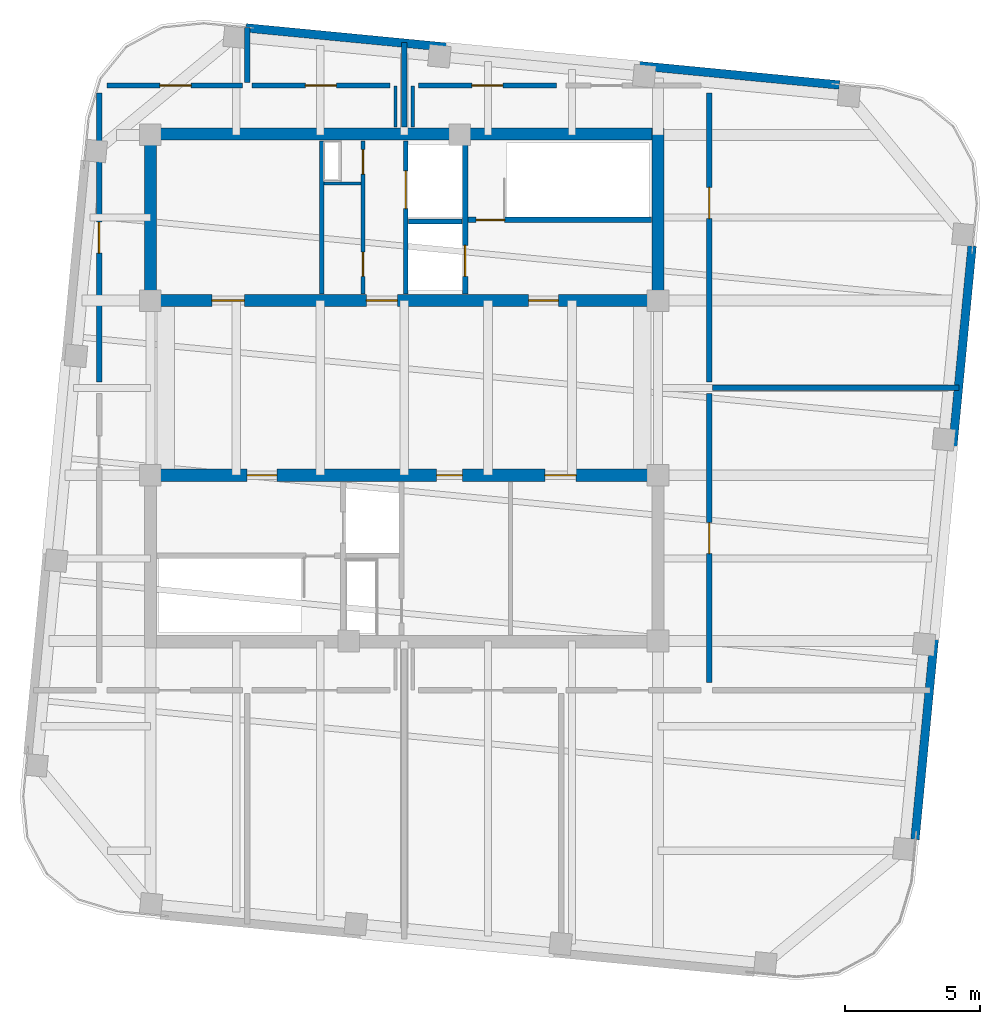
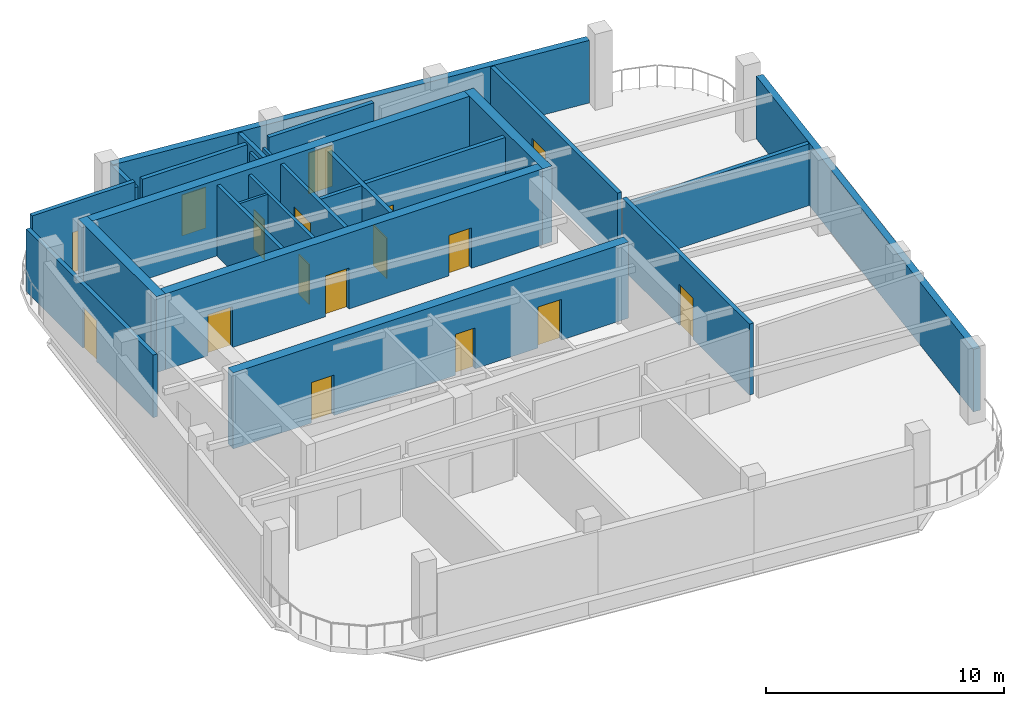
# One storey, part 3 of 5: 25 walls, 17 doors, 17 openings.
"""IFC4 building model written with IfcOpenShell, lengths in metres."""

import ifcopenshell
import ifcopenshell.guid

model = None  # the IFC model being written
_history = None  # IfcOwnerHistory: only IFC2X3 demands one
_inside = {}  # id of a spatial element -> (the spatial element, [elements in it])
_under = {}  # id of a project, library or spatial element -> (it, [spatial elements below it])
_declared = {}  # id of a project -> (the project, [libraries it declares])
_typed = {}  # id of a type object -> (the type object, [elements of that type])
_made_of = {}  # id of a material, layer set ... -> (it, [elements and type objects made of it])


def new_model(schema):
    """Start an empty IFC model of exactly this schema.

    Asked for "IFC4X3", IfcOpenShell would pick the latest addendum, in which some entities
    have other attributes; the version numbers below select the first issue.
    IFC2X3 requires an IfcOwnerHistory on every rooted entity: one is made here for all.
    """
    global model, _history
    if schema == "IFC4X3":
        model = ifcopenshell.file(schema_version=(4, 3, 0, 0))
    else:
        model = ifcopenshell.file(schema=schema)
    _inside.clear()
    _under.clear()
    _declared.clear()
    _typed.clear()
    _made_of.clear()
    _history = None
    if model.schema == "IFC2X3":
        org = make("IfcOrganization", Name="unknown")
        user = make(
            "IfcPersonAndOrganization",
            ThePerson=make("IfcPerson", FamilyName="unknown"),
            TheOrganization=org,
        )
        app = make(
            "IfcApplication",
            ApplicationDeveloper=org,
            Version="unknown",
            ApplicationFullName="unknown",
            ApplicationIdentifier="unknown",
        )
        _history = make(
            "IfcOwnerHistory",
            OwningUser=user,
            OwningApplication=app,
            ChangeAction="ADDED",
            CreationDate=0,
        )
    return model


def make(cls, **values):
    """One entity of the class cls with the attributes given. An attribute that is None is left unset."""
    return model.create_entity(
        cls, **{name: value for name, value in values.items() if value is not None}
    )


def rooted(cls, **values):
    """An entity with a GlobalId (a new one), such as an element, a storey or a relation."""
    return make(cls, GlobalId=ifcopenshell.guid.new(), OwnerHistory=_history, **values)


def si_unit(unit_type, name, prefix=None):
    """IfcSIUnit, for example si_unit("LENGTHUNIT", "METRE", prefix="MILLI")."""
    return make("IfcSIUnit", UnitType=unit_type, Prefix=prefix, Name=name)


def assignment(units):
    """IfcUnitAssignment: the units of a project."""
    return None if units is None else make("IfcUnitAssignment", Units=units)


def point(xyz):
    """IfcCartesianPoint."""
    return None if xyz is None else make("IfcCartesianPoint", Coordinates=xyz)


def direction(xyz):
    """IfcDirection."""
    return None if xyz is None else make("IfcDirection", DirectionRatios=xyz)


def frame(location, z_axis=None, x_axis=None):
    """IfcAxis2Placement3D, a coordinate frame: its origin and axes. An axis left out is left unset."""
    return make(
        "IfcAxis2Placement3D",
        Location=point(location),
        Axis=direction(z_axis),
        RefDirection=direction(x_axis),
    )


def frame_2d(location, x_axis=None):
    """IfcAxis2Placement2D, a coordinate frame in the plane: its origin and x axis."""
    return make(
        "IfcAxis2Placement2D", Location=point(location), RefDirection=direction(x_axis)
    )


def origin():
    """The frame at (0, 0, 0) with its axes left unset."""
    return frame((0.0, 0.0, 0.0))


def place(relative_to, where):
    """IfcLocalPlacement: puts the frame where relative to a parent placement (None: the world)."""
    return make(
        "IfcLocalPlacement", PlacementRelTo=relative_to, RelativePlacement=where
    )


def context(
    kind, dimensions, precision=None, world=None, true_north=None, identifier=None
):
    """IfcGeometricRepresentationContext, for example the 3D "Model" context."""
    return make(
        "IfcGeometricRepresentationContext",
        ContextIdentifier=identifier,
        ContextType=kind,
        CoordinateSpaceDimension=dimensions,
        Precision=precision,
        WorldCoordinateSystem=world,
        TrueNorth=true_north,
    )


def subcontext(parent, identifier, kind, view, scale=None):
    """IfcGeometricRepresentationSubContext, for example "Body" below "Model"."""
    return make(
        "IfcGeometricRepresentationSubContext",
        ContextIdentifier=identifier,
        ContextType=kind,
        ParentContext=parent,
        TargetScale=scale,
        TargetView=view,
    )


def project(units=None, contexts=None):
    """IfcProject with its units and contexts."""
    return rooted(
        "IfcProject",
        Name="project",
        RepresentationContexts=contexts,
        UnitsInContext=assignment(units),
    )


def spatial(cls, under=None, at=None, **own):
    """A site, building, storey or space (cls), placed at a placement, below another one or the project."""
    s = rooted(cls, ObjectPlacement=at, **own)
    if under is not None:
        _under.setdefault(under.id(), (under, []))[1].append(s)
    return s


def profile(cls, at=None, kind="AREA", **sizes):
    """A parametric profile (cls). Its sizes go by their IFC names, for example OverallWidth=200.0."""
    return make(cls, ProfileType=kind, Position=at, **sizes)


def rectangle(**sizes):
    """IfcRectangleProfileDef."""
    return profile("IfcRectangleProfileDef", **sizes)


def extrude(swept, where, along, depth):
    """IfcExtrudedAreaSolid: the profile swept, set in the frame where, extruded along a direction by depth."""
    return make(
        "IfcExtrudedAreaSolid",
        SweptArea=swept,
        Position=where,
        ExtrudedDirection=direction(along),
        Depth=depth,
    )


def shape(context_of_items, identifier, shape_type, items):
    """IfcShapeRepresentation: the items that make up one representation, for example the "Body"."""
    return make(
        "IfcShapeRepresentation",
        ContextOfItems=context_of_items,
        RepresentationIdentifier=identifier,
        RepresentationType=shape_type,
        Items=items,
    )


def material(Name=None, Category=None):
    """IfcMaterial."""
    return make("IfcMaterial", Name=Name, Category=Category)


def layer(
    of_material, thickness, ventilated=None, Name=None, Category=None, Priority=None
):
    """IfcMaterialLayer: one layer of a wall or slab, of a material (None: an air gap)."""
    return make(
        "IfcMaterialLayer",
        Material=of_material,
        LayerThickness=thickness,
        IsVentilated=ventilated,
        Name=Name,
        Category=Category,
        Priority=Priority,
    )


def layer_set(layers, Name=None):
    """IfcMaterialLayerSet."""
    return make("IfcMaterialLayerSet", MaterialLayers=layers, LayerSetName=Name)


def made_of(thing, what):
    """Note that an element or type object is made of a material, layer set ...; save() writes the relation."""
    if what is not None:
        _made_of.setdefault(what.id(), (what, []))[1].append(thing)
    return thing


def type_object(cls, material=None, **own):
    """A type object (cls), such as IfcWallType, which elements share."""
    return made_of(rooted(cls, **own), material)


def element(
    cls,
    number,
    at=None,
    inside=None,
    cuts=None,
    type_object=None,
    material=None,
    context=None,
    identifier="Body",
    shape_type=None,
    held_by="IfcProductDefinitionShape",
    body=None,
    shapes=None,
    **own,
):
    """One element of the class cls, such as IfcWall. Its Tag is "e" and its number.

    at: its placement. inside: the storey or other place that contains it. cuts: it is an
    opening in that element (IfcRelVoidsElement). A single representation is given by context,
    identifier, shape_type and body (its items); several are given by shapes. held_by: the class
    of the entity that holds the representations. save() writes the other relations.
    """
    e = rooted(cls, Tag="e%d" % number, ObjectPlacement=at, **own)
    if body is not None:
        shapes = [shape(context, identifier, shape_type, body)]
    if shapes is not None:
        e.Representation = make(held_by, Representations=shapes)
    if inside is not None:
        _inside.setdefault(inside.id(), (inside, []))[1].append(e)
    if cuts is not None:
        rooted(
            "IfcRelVoidsElement", RelatingBuildingElement=cuts, RelatedOpeningElement=e
        )
    if type_object is not None:
        _typed.setdefault(type_object.id(), (type_object, []))[1].append(e)
    return made_of(e, material)


def fill(opening, filler):
    """IfcRelFillsElement: the door or window that sits in an opening."""
    return rooted(
        "IfcRelFillsElement",
        RelatingOpeningElement=opening,
        RelatedBuildingElement=filler,
    )


def aggregate(whole, parts):
    """IfcRelAggregates: a whole, such as a stair, and the parts it consists of."""
    return rooted("IfcRelAggregates", RelatingObject=whole, RelatedObjects=parts)


def save(model, path):
    """Write the relations noted so far, then the file.

    IfcRelAggregates (storeys below a building ...), IfcRelContainedInSpatialStructure (elements
    in a storey), IfcRelDefinesByType, IfcRelAssociatesMaterial and IfcRelDeclares: one each for
    every whole, place, type object, material and project.
    """
    for whole, parts in _under.values():
        aggregate(whole, parts)
    for where, things in _inside.values():
        rooted(
            "IfcRelContainedInSpatialStructure",
            RelatedElements=things,
            RelatingStructure=where,
        )
    for kind, things in _typed.values():
        rooted("IfcRelDefinesByType", RelatedObjects=things, RelatingType=kind)
    for what, things in _made_of.values():
        rooted("IfcRelAssociatesMaterial", RelatedObjects=things, RelatingMaterial=what)
    for by, libraries in _declared.values():
        rooted("IfcRelDeclares", RelatingContext=by, RelatedDefinitions=libraries)
    model.write(path)


model = new_model("IFC4")

# Units and contexts
model_context = context("Model", 3, precision=1e-05, world=origin(), true_north=direction((0.0, 1.0)))
body_context = subcontext(model_context, "Body", "Model", "MODEL_VIEW")
ifc_project = project(units=[si_unit("LENGTHUNIT", "METRE"), si_unit("AREAUNIT", "SQUARE_METRE"), si_unit("VOLUMEUNIT", "CUBIC_METRE"), si_unit("PLANEANGLEUNIT", "RADIAN"), si_unit("MASSUNIT", "GRAM", prefix="KILO")], contexts=[model_context])

# Site, building, storey
site_placement = place(None, origin())
site = spatial("IfcSite", under=ifc_project, at=site_placement, CompositionType="ELEMENT")
building_placement = place(site_placement, origin())
building = spatial("IfcBuilding", under=site, at=building_placement, Name="Qhalaya Broadcast Tower", CompositionType="ELEMENT")
storey_placement = place(building_placement, frame((0.0, 0.0, 292.85009765625)))
storey = spatial("IfcBuildingStorey", under=building, at=storey_placement, Name="L86", CompositionType="ELEMENT", Elevation=292.85009765625)

# Wall, openings, doors
ifc_material_1 = material(Name="Gypsum Acoustic Partition")
ifc_layer_1 = layer(ifc_material_1, 0.14990234375, Name="Gypsum Acoustic Partition")
ifc_layer_set_1 = layer_set([ifc_layer_1], Name="Gypsum Acoustic Partition")
wall_type_1 = type_object("IfcWallType", Name="Corridor & Tenancy Acoustic Partition 150", PredefinedType="PARTITIONING", material=ifc_layer_set_1)
wall_1_placement = place(storey_placement, frame((-1.52001953125, 4.070068359375, 0.0), z_axis=(0.0, 0.0, 1.0), x_axis=(0.0, 1.0, 0.0)))
wall_1 = element("IfcWall", 1, at=wall_1_placement, inside=storey, type_object=wall_type_1, Name="L86 Partition Wall NCW-SVL", PredefinedType="PARTITIONING", context=body_context, shape_type="SweptSolid", body=[
    extrude(rectangle(XDim=5.659912109375, YDim=0.14990234375, at=frame_2d((2.830078125, 0.0))), origin(), (0.0, 0.0, 1.0), 3.639892578125),
])
opening_1_placement = place(wall_1_placement, frame((4.429931640625, 0.0, 0.0)))
opening_1 = element("IfcOpeningElement", 2, at=opening_1_placement, cuts=wall_1, Name="Opening D06", PredefinedType="OPENING", context=body_context, shape_type="SweptSolid", body=[
    extrude(rectangle(XDim=0.89990234375, YDim=2.050048828125, at=frame_2d((0.449951171875, 1.02490234375))), frame((0.0, 0.0869140625, 0.0), z_axis=(0.0, -1.0, 0.0), x_axis=(1.0, 0.0, 0.0)), (0.0, 0.0, 1.0), 0.173828125),
])
opening_2_placement = place(wall_1_placement, frame((0.64990234375, 0.0, 0.0)))
opening_2 = element("IfcOpeningElement", 3, at=opening_2_placement, cuts=wall_1, Name="Opening D06", PredefinedType="OPENING", context=body_context, shape_type="SweptSolid", body=[
    extrude(rectangle(XDim=0.89990234375, YDim=2.050048828125, at=frame_2d((0.449951171875, 1.02490234375))), frame((0.0, 0.0869140625, 0.0), z_axis=(0.0, -1.0, 0.0), x_axis=(1.0, 0.0, 0.0)), (0.0, 0.0, 1.0), 0.173828125),
])
ifc_material_2 = material(Name="Fire-Rated Steel Door", Category="steel")
door_type_1 = type_object("IfcDoorType", Name="Riser & Electrical Shaft Access Door D06", OperationType="NOTDEFINED", PredefinedType="DOOR", material=ifc_material_2)
door_1_placement = place(opening_1_placement, origin())
door_1 = element("IfcDoor", 4, at=door_1_placement, inside=storey, type_object=door_type_1, Name="L86 Riser Shaft Access Door D-NRSR", OperationType="SINGLE_SWING_RIGHT", OverallHeight=2.050048828125, OverallWidth=0.89990234375, PredefinedType="DOOR", context=body_context, shape_type="SweptSolid", body=[
    extrude(rectangle(XDim=0.89990234375, YDim=2.050048828125, at=frame_2d((0.449951171875, 1.02490234375))), frame((0.0, 0.02490234375, 0.0), z_axis=(0.0, -1.0, 0.0), x_axis=(1.0, 0.0, 0.0)), (0.0, 0.0, 1.0), 0.050048828125),
])
fill(opening_1, door_1)
door_2_placement = place(opening_2_placement, origin())
door_2 = element("IfcDoor", 5, at=door_2_placement, inside=storey, type_object=door_type_1, Name="L86 Door D-NCST", OperationType="SINGLE_SWING_LEFT", OverallHeight=2.050048828125, OverallWidth=0.89990234375, PredefinedType="DOOR", context=body_context, shape_type="SweptSolid", body=[
    extrude(rectangle(XDim=0.89990234375, YDim=2.050048828125, at=frame_2d((0.449951171875, 1.02490234375))), frame((0.0, 0.02490234375, 0.0), z_axis=(0.0, -1.0, 0.0), x_axis=(1.0, 0.0, 0.0)), (0.0, 0.0, 1.0), 0.050048828125),
])
fill(opening_2, door_2)

# Wall
ifc_layer_2 = layer(ifc_material_1, 0.199951171875, Name="Gypsum Acoustic Partition")
ifc_layer_set_2 = layer_set([ifc_layer_2], Name="Gypsum Acoustic Partition")
wall_type_2 = type_object("IfcWallType", Name="Firefighting Lobby & Stair Enclosure Wall 200", PredefinedType="PARTITIONING", material=ifc_layer_set_2)
wall_2_placement = place(storey_placement, frame((0.0, 10.239990234375, 0.0), z_axis=(0.0, 0.0, 1.0), x_axis=(0.0, 1.0, 0.0)))
element("IfcWall", 6, at=wall_2_placement, inside=storey, type_object=wall_type_2, Name="L86 Partition Wall W-OBN", PredefinedType="PARTITIONING", context=body_context, shape_type="SweptSolid", body=[
    extrude(rectangle(XDim=3.1171875, YDim=0.199951171875, at=frame_2d((1.55859375, 0.0))), origin(), (0.0, 0.0, 1.0), 3.160888671875),
])

# Wall, opening, door
wall_3_placement = place(storey_placement, frame((-5.97998046875, 11.77001953125, 0.0), z_axis=(0.0, 0.0, 1.0), x_axis=(-1.0, 0.0, 0.0)))
wall_3 = element("IfcWall", 7, at=wall_3_placement, inside=storey, type_object=wall_type_2, Name="L86 Partition Wall W-PCN0", PredefinedType="PARTITIONING", context=body_context, shape_type="SweptSolid", body=[
    extrude(rectangle(XDim=4.989990234375, YDim=0.199951171875, at=frame_2d((2.4951171875, 0.0))), origin(), (0.0, 0.0, 1.0), 3.639892578125),
])
opening_3_placement = place(wall_3_placement, frame((1.889892578125, 0.0, 0.0)))
opening_3 = element("IfcOpeningElement", 8, at=opening_3_placement, cuts=wall_3, Name="Opening D05", PredefinedType="OPENING", context=body_context, shape_type="SweptSolid", body=[
    extrude(rectangle(XDim=1.14990234375, YDim=2.10009765625, at=frame_2d((0.574951171875, 1.050048828125))), frame((0.0, 0.112060546875, 0.0), z_axis=(0.0, -1.0, 0.0), x_axis=(1.0, 0.0, 0.0)), (0.0, 0.0, 1.0), 0.223876953125),
])
door_type_2 = type_object("IfcDoorType", Name="Refuge & Plant Room Fire Door D05", OperationType="NOTDEFINED", PredefinedType="DOOR", material=ifc_material_2)
door_3_placement = place(opening_3_placement, origin())
door_3 = element("IfcDoor", 9, at=door_3_placement, inside=storey, type_object=door_type_2, Name="L86 Door D-PCN0", OperationType="SINGLE_SWING_LEFT", OverallHeight=2.10009765625, OverallWidth=1.14990234375, PredefinedType="DOOR", context=body_context, shape_type="SweptSolid", body=[
    extrude(rectangle(XDim=1.14990234375, YDim=2.10009765625, at=frame_2d((0.574951171875, 1.050048828125))), frame((0.0, 0.02490234375, 0.0), z_axis=(0.0, -1.0, 0.0), x_axis=(1.0, 0.0, 0.0)), (0.0, 0.0, 1.0), 0.050048828125),
])
fill(opening_3, door_3)

# Wall
wall_4_placement = place(storey_placement, frame((-5.800048828125, 11.889892578125, 0.0), z_axis=(0.0, 0.0, 1.0), x_axis=(0.0, 1.0, 0.0)))
element("IfcWall", 10, at=wall_4_placement, inside=storey, type_object=wall_type_2, Name="L86 Partition Wall W-PDN1", PredefinedType="PARTITIONING", context=body_context, shape_type="SweptSolid", body=[
    extrude(rectangle(XDim=2.025634765625, YDim=0.199951171875, at=frame_2d((1.0126953125, 0.0))), origin(), (0.0, 0.0, 1.0), 3.160888671875),
])

# Wall, opening, door
wall_5_placement = place(storey_placement, frame((-0.530029296875, 11.77001953125, 0.0), z_axis=(0.0, 0.0, 1.0), x_axis=(-1.0, 0.0, 0.0)))
wall_5 = element("IfcWall", 11, at=wall_5_placement, inside=storey, type_object=wall_type_2, Name="L86 Partition Wall W-PCN1", PredefinedType="PARTITIONING", context=body_context, shape_type="SweptSolid", body=[
    extrude(rectangle(XDim=5.090087890625, YDim=0.199951171875, at=frame_2d((2.544921875, 0.0))), origin(), (0.0, 0.0, 1.0), 3.639892578125),
])
opening_4_placement = place(wall_5_placement, frame((1.969970703125, 0.0, 0.0)))
opening_4 = element("IfcOpeningElement", 12, at=opening_4_placement, cuts=wall_5, Name="Opening D05", PredefinedType="OPENING", context=body_context, shape_type="SweptSolid", body=[
    extrude(rectangle(XDim=1.14990234375, YDim=2.10009765625, at=frame_2d((0.574951171875, 1.050048828125))), frame((0.0, 0.112060546875, 0.0), z_axis=(0.0, -1.0, 0.0), x_axis=(1.0, 0.0, 0.0)), (0.0, 0.0, 1.0), 0.223876953125),
])
door_4_placement = place(opening_4_placement, origin())
door_4 = element("IfcDoor", 13, at=door_4_placement, inside=storey, type_object=door_type_2, Name="L86 Door D-PCN1", OperationType="SINGLE_SWING_LEFT", OverallHeight=2.10009765625, OverallWidth=1.14990234375, PredefinedType="DOOR", context=body_context, shape_type="SweptSolid", body=[
    extrude(rectangle(XDim=1.14990234375, YDim=2.10009765625, at=frame_2d((0.574951171875, 1.050048828125))), frame((0.0, 0.02490234375, 0.0), z_axis=(0.0, -1.0, 0.0), x_axis=(1.0, 0.0, 0.0)), (0.0, 0.0, 1.0), 0.050048828125),
])
fill(opening_4, door_4)

wall_6_placement = place(storey_placement, frame((5.6201171875, 11.77001953125, 0.0), z_axis=(0.0, 0.0, 1.0), x_axis=(-1.0, 0.0, 0.0)))
wall_6 = element("IfcWall", 14, at=wall_6_placement, inside=storey, type_object=wall_type_2, Name="L86 Partition Wall W-PCN2", PredefinedType="PARTITIONING", context=body_context, shape_type="SweptSolid", body=[
    extrude(rectangle(XDim=5.090087890625, YDim=0.199951171875, at=frame_2d((2.544921875, 0.0))), origin(), (0.0, 0.0, 1.0), 3.639892578125),
])
opening_5_placement = place(wall_6_placement, frame((1.969970703125, 0.0, 0.0)))
opening_5 = element("IfcOpeningElement", 15, at=opening_5_placement, cuts=wall_6, Name="Opening D05", PredefinedType="OPENING", context=body_context, shape_type="SweptSolid", body=[
    extrude(rectangle(XDim=1.14990234375, YDim=2.10009765625, at=frame_2d((0.574951171875, 1.050048828125))), frame((0.0, 0.112060546875, 0.0), z_axis=(0.0, -1.0, 0.0), x_axis=(1.0, 0.0, 0.0)), (0.0, 0.0, 1.0), 0.223876953125),
])
door_5_placement = place(opening_5_placement, origin())
door_5 = element("IfcDoor", 16, at=door_5_placement, inside=storey, type_object=door_type_2, Name="L86 Door D-PCN2", OperationType="SINGLE_SWING_LEFT", OverallHeight=2.10009765625, OverallWidth=1.14990234375, PredefinedType="DOOR", context=body_context, shape_type="SweptSolid", body=[
    extrude(rectangle(XDim=1.14990234375, YDim=2.10009765625, at=frame_2d((0.574951171875, 1.050048828125))), frame((0.0, 0.02490234375, 0.0), z_axis=(0.0, -1.0, 0.0), x_axis=(1.0, 0.0, 0.0)), (0.0, 0.0, 1.0), 0.050048828125),
])
fill(opening_5, door_5)

# Wall
wall_7_placement = place(storey_placement, frame((11.389892578125, 0.60009765625, 0.0), z_axis=(0.0, 0.0, 1.0), x_axis=(1.0, 0.0, 0.0)))
element("IfcWall", 17, at=wall_7_placement, inside=storey, type_object=wall_type_2, Name="L86 Partition Wall W-PDE1", PredefinedType="PARTITIONING", context=body_context, shape_type="SweptSolid", body=[
    extrude(rectangle(XDim=9.10498046875, YDim=0.199951171875, at=frame_2d((4.552490234375, 0.0))), origin(), (0.0, 0.0, 1.0), 3.160888671875),
])

# Wall, opening, door
wall_8_placement = place(storey_placement, frame((-11.27001953125, 11.489990234375, 0.0), z_axis=(0.0, 0.0, 1.0), x_axis=(0.0, -1.0, 0.0)))
wall_8 = element("IfcWall", 18, at=wall_8_placement, inside=storey, type_object=wall_type_2, Name="L86 Partition Wall W-PCW2", PredefinedType="PARTITIONING", context=body_context, shape_type="SweptSolid", body=[
    extrude(rectangle(XDim=10.679931640625, YDim=0.199951171875, at=frame_2d((5.33984375, 0.0))), origin(), (0.0, 0.0, 1.0), 3.2138671875),
])
opening_6_placement = place(wall_8_placement, frame((4.764892578125, 0.0, 0.0)))
opening_6 = element("IfcOpeningElement", 19, at=opening_6_placement, cuts=wall_8, Name="Opening D05", PredefinedType="OPENING", context=body_context, shape_type="SweptSolid", body=[
    extrude(rectangle(XDim=1.14990234375, YDim=2.10009765625, at=frame_2d((0.574951171875, 1.050048828125))), frame((0.0, 0.112060546875, 0.0), z_axis=(0.0, -1.0, 0.0), x_axis=(1.0, 0.0, 0.0)), (0.0, 0.0, 1.0), 0.223876953125),
])
door_6_placement = place(opening_6_placement, origin())
door_6 = element("IfcDoor", 20, at=door_6_placement, inside=storey, type_object=door_type_2, Name="L86 Door D-PCW2", OperationType="SINGLE_SWING_RIGHT", OverallHeight=2.10009765625, OverallWidth=1.14990234375, PredefinedType="DOOR", context=body_context, shape_type="SweptSolid", body=[
    extrude(rectangle(XDim=1.14990234375, YDim=2.10009765625, at=frame_2d((0.574951171875, 1.050048828125))), frame((0.0, 0.02490234375, 0.0), z_axis=(0.0, -1.0, 0.0), x_axis=(1.0, 0.0, 0.0)), (0.0, 0.0, 1.0), 0.050048828125),
])
fill(opening_6, door_6)

wall_9_placement = place(storey_placement, frame((11.27001953125, -10.2900390625, 0.0), z_axis=(0.0, 0.0, 1.0), x_axis=(0.0, 1.0, 0.0)))
wall_9 = element("IfcWall", 21, at=wall_9_placement, inside=storey, type_object=wall_type_2, Name="L86 Partition Wall W-PCE1", PredefinedType="PARTITIONING", context=body_context, shape_type="SweptSolid", body=[
    extrude(rectangle(XDim=10.679931640625, YDim=0.199951171875, at=frame_2d((5.33984375, 0.0))), origin(), (0.0, 0.0, 1.0), 3.639892578125),
])
opening_7_placement = place(wall_9_placement, frame((4.764892578125, 0.0, 0.0)))
opening_7 = element("IfcOpeningElement", 22, at=opening_7_placement, cuts=wall_9, Name="Opening D05", PredefinedType="OPENING", context=body_context, shape_type="SweptSolid", body=[
    extrude(rectangle(XDim=1.14990234375, YDim=2.10009765625, at=frame_2d((0.574951171875, 1.050048828125))), frame((0.0, 0.112060546875, 0.0), z_axis=(0.0, -1.0, 0.0), x_axis=(1.0, 0.0, 0.0)), (0.0, 0.0, 1.0), 0.223876953125),
])
door_7_placement = place(opening_7_placement, origin())
door_7 = element("IfcDoor", 23, at=door_7_placement, inside=storey, type_object=door_type_2, Name="L86 Door D-PCE1", OperationType="SINGLE_SWING_RIGHT", OverallHeight=2.10009765625, OverallWidth=1.14990234375, PredefinedType="DOOR", context=body_context, shape_type="SweptSolid", body=[
    extrude(rectangle(XDim=1.14990234375, YDim=2.10009765625, at=frame_2d((0.574951171875, 1.050048828125))), frame((0.0, 0.02490234375, 0.0), z_axis=(0.0, -1.0, 0.0), x_axis=(1.0, 0.0, 0.0)), (0.0, 0.0, 1.0), 0.050048828125),
])
fill(opening_7, door_7)

wall_10_placement = place(storey_placement, frame((11.27001953125, 0.81005859375, 0.0), z_axis=(0.0, 0.0, 1.0), x_axis=(0.0, 1.0, 0.0)))
wall_10 = element("IfcWall", 24, at=wall_10_placement, inside=storey, type_object=wall_type_2, Name="L86 Partition Wall W-PCE2", PredefinedType="PARTITIONING", context=body_context, shape_type="SweptSolid", body=[
    extrude(rectangle(XDim=10.679931640625, YDim=0.199951171875, at=frame_2d((5.33984375, 0.0))), origin(), (0.0, 0.0, 1.0), 3.639892578125),
])
opening_8_placement = place(wall_10_placement, frame((6.047119140625, 0.0, 0.0)))
opening_8 = element("IfcOpeningElement", 25, at=opening_8_placement, cuts=wall_10, Name="Opening D05", PredefinedType="OPENING", context=body_context, shape_type="SweptSolid", body=[
    extrude(rectangle(XDim=1.14990234375, YDim=2.10009765625, at=frame_2d((0.574951171875, 1.050048828125))), frame((0.0, 0.112060546875, 0.0), z_axis=(0.0, -1.0, 0.0), x_axis=(1.0, 0.0, 0.0)), (0.0, 0.0, 1.0), 0.223876953125),
])
door_8_placement = place(opening_8_placement, origin())
door_8 = element("IfcDoor", 26, at=door_8_placement, inside=storey, type_object=door_type_2, Name="L86 Door D-PCE2", OperationType="SINGLE_SWING_LEFT", OverallHeight=2.10009765625, OverallWidth=1.14990234375, PredefinedType="DOOR", context=body_context, shape_type="SweptSolid", body=[
    extrude(rectangle(XDim=1.14990234375, YDim=2.10009765625, at=frame_2d((0.574951171875, 1.050048828125))), frame((0.0, 0.02490234375, 0.0), z_axis=(0.0, -1.0, 0.0), x_axis=(1.0, 0.0, 0.0)), (0.0, 0.0, 1.0), 0.050048828125),
])
fill(opening_8, door_8)

ifc_material_3 = material(Name="Concrete C50/60", Category="concrete")
ifc_layer_3 = layer(ifc_material_3, 0.199951171875, Name="Concrete C50/60")
ifc_layer_set_3 = layer_set([ifc_layer_3], Name="Concrete C50/60")
wall_type_3 = type_object("IfcWallType", Name="Load-Bearing Stair Shaft Wall 200", PredefinedType="SHEAR", material=ifc_layer_set_3)
wall_11_placement = place(storey_placement, frame((2.360107421875, 6.804931640625, 0.0), z_axis=(0.0, 0.0, 1.0), x_axis=(1.0, 0.0, 0.0)))
wall_11 = element("IfcWall", 27, at=wall_11_placement, inside=storey, type_object=wall_type_3, Name="L86 Stair Core Shear Wall NCW-ST1", PredefinedType="SHEAR", context=body_context, shape_type="SweptSolid", body=[
    extrude(rectangle(XDim=6.769775390625, YDim=0.199951171875, at=frame_2d((3.384765625, 0.0))), origin(), (0.0, 0.0, 1.0), 3.639892578125),
])
opening_9_placement = place(wall_11_placement, frame((0.300048828125, 0.0, 0.0)))
opening_9 = element("IfcOpeningElement", 28, at=opening_9_placement, cuts=wall_11, Name="Opening D03", PredefinedType="OPENING", context=body_context, shape_type="SweptSolid", body=[
    extrude(rectangle(XDim=1.050048828125, YDim=2.080078125, at=frame_2d((0.52490234375, 1.0400390625))), frame((0.0, 0.112060546875, 0.0), z_axis=(0.0, -1.0, 0.0), x_axis=(1.0, 0.0, 0.0)), (0.0, 0.0, 1.0), 0.223876953125),
])
door_type_3 = type_object("IfcDoorType", Name="Core Stair Protected Fire Door D03", OperationType="NOTDEFINED", PredefinedType="DOOR", material=ifc_material_2)
door_9_placement = place(opening_9_placement, origin())
door_9 = element("IfcDoor", 29, at=door_9_placement, inside=storey, type_object=door_type_3, Name="L86 Door D-NST1", OperationType="SINGLE_SWING_LEFT", OverallHeight=2.080078125, OverallWidth=1.050048828125, PredefinedType="DOOR", context=body_context, shape_type="SweptSolid", body=[
    extrude(rectangle(XDim=1.050048828125, YDim=2.080078125, at=frame_2d((0.52490234375, 1.0400390625))), frame((0.0, 0.02490234375, 0.0), z_axis=(0.0, -1.0, 0.0), x_axis=(1.0, 0.0, 0.0)), (0.0, 0.0, 1.0), 0.050048828125),
])
fill(opening_9, door_9)

wall_12_placement = place(storey_placement, frame((2.25, 4.070068359375, 0.0), z_axis=(0.0, 0.0, 1.0), x_axis=(0.0, 1.0, 0.0)))
wall_12 = element("IfcWall", 30, at=wall_12_placement, inside=storey, type_object=wall_type_3, Name="L86 Stair Core Shear Wall NCW-FF", PredefinedType="SHEAR", context=body_context, shape_type="SweptSolid", body=[
    extrude(rectangle(XDim=5.659912109375, YDim=0.199951171875, at=frame_2d((2.830078125, 0.0))), origin(), (0.0, 0.0, 1.0), 3.639892578125),
])
opening_10_placement = place(wall_12_placement, frame((0.64990234375, 0.0, 0.0)))
opening_10 = element("IfcOpeningElement", 31, at=opening_10_placement, cuts=wall_12, Name="Opening LD2", PredefinedType="OPENING", context=body_context, shape_type="SweptSolid", body=[
    extrude(rectangle(XDim=1.14990234375, YDim=2.080078125, at=frame_2d((0.574951171875, 1.0400390625))), frame((0.0, 0.112060546875, 0.0), z_axis=(0.0, -1.0, 0.0), x_axis=(1.0, 0.0, 0.0)), (0.0, 0.0, 1.0), 0.223876953125),
])
ifc_material_4 = material(Name="Brushed Stainless Steel Lift Door", Category="steel")
door_type_4 = type_object("IfcDoorType", Name="Firefighting Lift Sliding Landing Door LD2", OperationType="DOUBLE_DOOR_SLIDING", PredefinedType="DOOR", material=ifc_material_4)
door_10_placement = place(opening_10_placement, origin())
door_10 = element("IfcDoor", 32, at=door_10_placement, inside=storey, type_object=door_type_4, Name="L86 Door LD-FF1", OperationType="DOUBLE_DOOR_SLIDING", OverallHeight=2.080078125, OverallWidth=1.14990234375, PredefinedType="DOOR", context=body_context, shape_type="SweptSolid", body=[
    extrude(rectangle(XDim=1.14990234375, YDim=2.080078125, at=frame_2d((0.574951171875, 1.0400390625))), frame((0.0, 0.02490234375, 0.0), z_axis=(0.0, -1.0, 0.0), x_axis=(1.0, 0.0, 0.0)), (0.0, 0.0, 1.0), 0.050048828125),
])
fill(opening_10, door_10)

# Walls
ifc_layer_4 = layer(ifc_material_1, 0.1201171875, Name="Gypsum Acoustic Partition")
ifc_layer_set_4 = layer_set([ifc_layer_4], Name="Gypsum Acoustic Partition")
wall_type_4 = type_object("IfcWallType", Name="Office, Booth & Sanitary Partition 120", PredefinedType="PARTITIONING", material=ifc_layer_set_4)
wall_13_placement = place(storey_placement, frame((-2.9599609375, 8.14990234375, 0.0), z_axis=(0.0, 0.0, 1.0), x_axis=(1.0, 0.0, 0.0)))
element("IfcWall", 33, at=wall_13_placement, inside=storey, type_object=wall_type_4, Name="L86 Partition Wall NCW-VA", PredefinedType="PARTITIONING", context=body_context, shape_type="SweptSolid", body=[
    extrude(rectangle(XDim=1.35986328125, YDim=0.1201171875, at=frame_2d((0.679931640625, 0.0))), origin(), (0.0, 0.0, 1.0), 3.639892578125),
])
for number, where, z_axis, x_axis, name in (
    (34, (-0.320068359375, 10.239990234375, 0.0), (0.0, 0.0, 1.0), (0.0, 1.0, 0.0), "L86 Partition Wall W-OBNCW"),
    (35, (0.320068359375, 10.239990234375, 0.0), (0.0, 0.0, 1.0), (0.0, 1.0, 0.0), "L86 Partition Wall W-OBNCE"),
):
    element("IfcWall", number, at=place(storey_placement, frame(where, z_axis=z_axis, x_axis=x_axis)), inside=storey, type_object=wall_type_4, Name=name, PredefinedType="PARTITIONING", context=body_context, shape_type="SweptSolid", body=[
        extrude(rectangle(XDim=1.510009765625, YDim=0.1201171875, at=frame_2d((0.7548828125, 0.0))), origin(), (0.0, 0.0, 1.0), 3.160888671875),
    ])
ifc_material_5 = material(Name="Precast Concrete C40/50", Category="concrete")
ifc_layer_5 = layer(ifc_material_5, 0.320068359375, Name="Precast Concrete C40/50")
ifc_layer_set_5 = layer_set([ifc_layer_5], Name="Precast Concrete C40/50")
wall_type_5 = type_object("IfcWallType", Name="Recessed Neck Insulated Exterior Wall 320", PredefinedType="SOLIDWALL", material=ifc_layer_set_5)
for number, where, z_axis, x_axis, name in (
    (36, (20.979736328125, 5.84375, 0.0), (0.0, 0.0, 1.0), (-0.095842731181, -0.995396489284, 0.0), "L86 Exterior Facade Wall E"),
    (37, (-5.84375, 13.899658203125, 0.0), (0.0, 0.0, 1.0), (0.995396489284, -0.095842731181, 0.0), "L86 Exterior Facade Wall N"),
):
    element("IfcWall", number, at=place(storey_placement, frame(where, z_axis=z_axis, x_axis=x_axis)), inside=storey, type_object=wall_type_5, Name=name, PredefinedType="SOLIDWALL", context=body_context, shape_type="SweptSolid", body=[
        extrude(rectangle(XDim=22.02392578125, YDim=0.320068359375, at=frame_2d((11.011962890625, 0.0))), origin(), (0.0, 0.0, 1.0), 3.2138671875),
    ])

# Wall, opening, door
ifc_layer_6 = layer(ifc_material_1, 0.175048828125, Name="Gypsum Acoustic Partition")
ifc_layer_set_6 = layer_set([ifc_layer_6], Name="Gypsum Acoustic Partition")
wall_type_6 = type_object("IfcWallType", Name="Shaft & Riser Fire Partition 175", PredefinedType="PARTITIONING", material=ifc_layer_set_6)
wall_14_placement = place(storey_placement, frame((0.06005859375, 4.070068359375, 0.0), z_axis=(0.0, 0.0, 1.0), x_axis=(0.0, 1.0, 0.0)))
wall_14 = element("IfcWall", 38, at=wall_14_placement, inside=storey, type_object=wall_type_6, Name="L86 Partition Wall NCW-SVW", PredefinedType="PARTITIONING", context=body_context, shape_type="SweptSolid", body=[
    extrude(rectangle(XDim=5.659912109375, YDim=0.175048828125, at=frame_2d((2.830078125, 0.0))), origin(), (0.0, 0.0, 1.0), 3.639892578125),
])
opening_11_placement = place(wall_14_placement, frame((3.14990234375, 0.0, 0.0)))
opening_11 = element("IfcOpeningElement", 39, at=opening_11_placement, cuts=wall_14, Name="Opening LD3", PredefinedType="OPENING", context=body_context, shape_type="SweptSolid", body=[
    extrude(rectangle(XDim=1.39990234375, YDim=2.1201171875, at=frame_2d((0.699951171875, 1.06005859375))), frame((0.0, 0.099609375, 0.0), z_axis=(0.0, -1.0, 0.0), x_axis=(1.0, 0.0, 0.0)), (0.0, 0.0, 1.0), 0.198974609375),
])
door_type_5 = type_object("IfcDoorType", Name="Service Lift Wide Sliding Landing Door LD3", OperationType="DOUBLE_DOOR_SLIDING", PredefinedType="DOOR", material=ifc_material_4)
door_11_placement = place(opening_11_placement, origin())
door_11 = element("IfcDoor", 40, at=door_11_placement, inside=storey, type_object=door_type_5, Name="L86 Door LD-SV1", OperationType="DOUBLE_DOOR_SLIDING", OverallHeight=2.1201171875, OverallWidth=1.39990234375, PredefinedType="DOOR", context=body_context, shape_type="SweptSolid", body=[
    extrude(rectangle(XDim=1.39990234375, YDim=2.1201171875, at=frame_2d((0.699951171875, 1.06005859375))), frame((0.0, 0.02490234375, 0.0), z_axis=(0.0, -1.0, 0.0), x_axis=(1.0, 0.0, 0.0)), (0.0, 0.0, 1.0), 0.050048828125),
])
fill(opening_11, door_11)

# Walls
wall_15_placement = place(storey_placement, frame((0.159912109375, 6.75, 0.0), z_axis=(0.0, 0.0, 1.0), x_axis=(1.0, 0.0, 0.0)))
element("IfcWall", 41, at=wall_15_placement, inside=storey, type_object=wall_type_6, Name="L86 Partition Wall NCW-SVM", PredefinedType="PARTITIONING", context=body_context, shape_type="SweptSolid", body=[
    extrude(rectangle(XDim=1.97998046875, YDim=0.175048828125, at=frame_2d((0.989990234375, 0.0))), origin(), (0.0, 0.0, 1.0), 3.639892578125),
])
wall_16_placement = place(storey_placement, frame((-3.0400390625, 4.070068359375, 0.0), z_axis=(0.0, 0.0, 1.0), x_axis=(0.0, 1.0, 0.0)))
element("IfcWall", 42, at=wall_16_placement, inside=storey, type_object=wall_type_6, Name="L86 Partition Wall NCW-VRW", PredefinedType="PARTITIONING", context=body_context, shape_type="SweptSolid", body=[
    extrude(rectangle(XDim=5.659912109375, YDim=0.175048828125, at=frame_2d((2.830078125, 0.0))), origin(), (0.0, 0.0, 1.0), 3.639892578125),
])
ifc_layer_7 = layer(ifc_material_3, 0.449951171875, Name="Concrete C50/60")
ifc_layer_set_7 = layer_set([ifc_layer_7], Name="Concrete C50/60")
wall_type_7 = type_object("IfcWallType", Name="Upper Split-Core Shear Wall 450", PredefinedType="SHEAR", material=ifc_layer_set_7)
wall_17_placement = place(storey_placement, frame((-9.60009765625, 9.97509765625, 0.0), z_axis=(0.0, 0.0, 1.0), x_axis=(1.0, 0.0, 0.0)))
element("IfcWall", 43, at=wall_17_placement, inside=storey, type_object=wall_type_7, Name="L86 Split-Core Shear Wall CW-NN", PredefinedType="SHEAR", context=body_context, shape_type="SweptSolid", body=[
    extrude(rectangle(XDim=19.2001953125, YDim=0.449951171875, at=frame_2d((9.60009765625, 0.0))), origin(), (0.0, 0.0, 1.0), 3.89990234375),
])

# Wall, openings, doors
wall_18_placement = place(storey_placement, frame((-9.60009765625, 3.824951171875, 0.0), z_axis=(0.0, 0.0, 1.0), x_axis=(1.0, 0.0, 0.0)))
wall_18 = element("IfcWall", 44, at=wall_18_placement, inside=storey, type_object=wall_type_7, Name="L86 Split-Core Shear Wall CW-NS", PredefinedType="SHEAR", context=body_context, shape_type="SweptSolid", body=[
    extrude(rectangle(XDim=19.2001953125, YDim=0.449951171875, at=frame_2d((9.60009765625, 0.0))), origin(), (0.0, 0.0, 1.0), 3.89990234375),
])
opening_12_placement = place(wall_18_placement, frame((14.199951171875, 0.0, 0.0)))
opening_12 = element("IfcOpeningElement", 45, at=opening_12_placement, cuts=wall_18, Name="Opening D04", PredefinedType="OPENING", context=body_context, shape_type="SweptSolid", body=[
    extrude(rectangle(XDim=1.10009765625, YDim=2.080078125, at=frame_2d((0.550048828125, 1.0400390625))), frame((0.0, 0.237060546875, 0.0), z_axis=(0.0, -1.0, 0.0), x_axis=(1.0, 0.0, 0.0)), (0.0, 0.0, 1.0), 0.473876953125),
])
opening_13_placement = place(wall_18_placement, frame((8.199951171875, 0.0, 0.0)))
opening_13 = element("IfcOpeningElement", 46, at=opening_13_placement, cuts=wall_18, Name="Opening D05", PredefinedType="OPENING", context=body_context, shape_type="SweptSolid", body=[
    extrude(rectangle(XDim=1.14990234375, YDim=2.10009765625, at=frame_2d((0.574951171875, 1.050048828125))), frame((0.0, 0.237060546875, 0.0), z_axis=(0.0, -1.0, 0.0), x_axis=(1.0, 0.0, 0.0)), (0.0, 0.0, 1.0), 0.473876953125),
])
opening_14_placement = place(wall_18_placement, frame((2.5, 0.0, 0.0)))
opening_14 = element("IfcOpeningElement", 47, at=opening_14_placement, cuts=wall_18, Name="Opening D11", PredefinedType="OPENING", context=body_context, shape_type="SweptSolid", body=[
    extrude(rectangle(XDim=1.199951171875, YDim=2.10009765625, at=frame_2d((0.60009765625, 1.050048828125))), frame((0.0, 0.237060546875, 0.0), z_axis=(0.0, -1.0, 0.0), x_axis=(1.0, 0.0, 0.0)), (0.0, 0.0, 1.0), 0.473876953125),
])
ifc_material_6 = material(Name="Anodised Aluminium Glazed Door", Category="aluminium")
door_type_6 = type_object("IfcDoorType", Name="Conference, Boardroom & Studio Control Door D11", OperationType="NOTDEFINED", PredefinedType="DOOR", material=ifc_material_6)
door_12_placement = place(opening_14_placement, origin())
door_12 = element("IfcDoor", 48, at=door_12_placement, inside=storey, type_object=door_type_6, Name="L86 Door D-NREC1", OperationType="SINGLE_SWING_LEFT", OverallHeight=2.10009765625, OverallWidth=1.199951171875, PredefinedType="DOOR", context=body_context, shape_type="SweptSolid", body=[
    extrude(rectangle(XDim=1.199951171875, YDim=2.10009765625, at=frame_2d((0.60009765625, 1.050048828125))), frame((0.0, 0.02490234375, 0.0), z_axis=(0.0, -1.0, 0.0), x_axis=(1.0, 0.0, 0.0)), (0.0, 0.0, 1.0), 0.050048828125),
])
fill(opening_14, door_12)
door_type_7 = type_object("IfcDoorType", Name="Firefighting Lobby Rated Door D04", OperationType="NOTDEFINED", PredefinedType="DOOR", material=ifc_material_2)
door_13_placement = place(opening_12_placement, origin())
door_13 = element("IfcDoor", 49, at=door_13_placement, inside=storey, type_object=door_type_7, Name="L86 Door D-NFF", OperationType="SINGLE_SWING_RIGHT", OverallHeight=2.080078125, OverallWidth=1.10009765625, PredefinedType="DOOR", context=body_context, shape_type="SweptSolid", body=[
    extrude(rectangle(XDim=1.10009765625, YDim=2.080078125, at=frame_2d((0.550048828125, 1.0400390625))), frame((0.0, 0.02490234375, 0.0), z_axis=(0.0, -1.0, 0.0), x_axis=(1.0, 0.0, 0.0)), (0.0, 0.0, 1.0), 0.050048828125),
])
fill(opening_12, door_13)
door_14_placement = place(opening_13_placement, origin())
door_14 = element("IfcDoor", 50, at=door_14_placement, inside=storey, type_object=door_type_2, Name="L86 Door D-NSVL", OperationType="SINGLE_SWING_LEFT", OverallHeight=2.10009765625, OverallWidth=1.14990234375, PredefinedType="DOOR", context=body_context, shape_type="SweptSolid", body=[
    extrude(rectangle(XDim=1.14990234375, YDim=2.10009765625, at=frame_2d((0.574951171875, 1.050048828125))), frame((0.0, 0.02490234375, 0.0), z_axis=(0.0, -1.0, 0.0), x_axis=(1.0, 0.0, 0.0)), (0.0, 0.0, 1.0), 0.050048828125),
])
fill(opening_13, door_14)

# Walls
for number, where, z_axis, x_axis, name in (
    (51, (-9.375, 3.60009765625, 0.0), (0.0, 0.0, 1.0), (0.0, 1.0, 0.0), "L86 Split-Core Shear Wall CW-NW"),
    (52, (9.375, 3.60009765625, 0.0), (0.0, 0.0, 1.0), (0.0, 1.0, 0.0), "L86 Split-Core Shear Wall CW-NE"),
):
    element("IfcWall", number, at=place(storey_placement, frame(where, z_axis=z_axis, x_axis=x_axis)), inside=storey, type_object=wall_type_7, Name=name, PredefinedType="SHEAR", context=body_context, shape_type="SweptSolid", body=[
        extrude(rectangle(XDim=6.599853515625, YDim=0.449951171875, at=frame_2d((3.2998046875, 0.0))), origin(), (0.0, 0.0, 1.0), 3.89990234375),
    ])

# Wall, openings, doors
wall_19_placement = place(storey_placement, frame((-9.60009765625, -2.625, 0.0), z_axis=(0.0, 0.0, 1.0), x_axis=(1.0, 0.0, 0.0)))
wall_19 = element("IfcWall", 53, at=wall_19_placement, inside=storey, type_object=wall_type_7, Name="L86 Split-Core Shear Wall CW-SN", PredefinedType="SHEAR", context=body_context, shape_type="SweptSolid", body=[
    extrude(rectangle(XDim=19.2001953125, YDim=0.449951171875, at=frame_2d((9.60009765625, 0.0))), origin(), (0.0, 0.0, 1.0), 3.89990234375),
])
opening_15_placement = place(wall_19_placement, frame((3.800048828125, 0.0, 0.0)))
opening_15 = element("IfcOpeningElement", 54, at=opening_15_placement, cuts=wall_19, Name="Opening D04", PredefinedType="OPENING", context=body_context, shape_type="SweptSolid", body=[
    extrude(rectangle(XDim=1.10009765625, YDim=2.080078125, at=frame_2d((0.550048828125, 1.0400390625))), frame((0.0, 0.237060546875, 0.0), z_axis=(0.0, -1.0, 0.0), x_axis=(1.0, 0.0, 0.0)), (0.0, 0.0, 1.0), 0.473876953125),
])
opening_16_placement = place(wall_19_placement, frame((10.800048828125, 0.0, 0.0)))
opening_16 = element("IfcOpeningElement", 55, at=opening_16_placement, cuts=wall_19, Name="Opening D10", PredefinedType="OPENING", context=body_context, shape_type="SweptSolid", body=[
    extrude(rectangle(XDim=0.949951171875, YDim=2.10009765625, at=frame_2d((0.47509765625, 1.050048828125))), frame((0.0, 0.237060546875, 0.0), z_axis=(0.0, -1.0, 0.0), x_axis=(1.0, 0.0, 0.0)), (0.0, 0.0, 1.0), 0.473876953125),
])
opening_17_placement = place(wall_19_placement, frame((14.800048828125, 0.0, 0.0)))
opening_17 = element("IfcOpeningElement", 56, at=opening_17_placement, cuts=wall_19, Name="Opening D05", PredefinedType="OPENING", context=body_context, shape_type="SweptSolid", body=[
    extrude(rectangle(XDim=1.14990234375, YDim=2.10009765625, at=frame_2d((0.574951171875, 1.050048828125))), frame((0.0, 0.237060546875, 0.0), z_axis=(0.0, -1.0, 0.0), x_axis=(1.0, 0.0, 0.0)), (0.0, 0.0, 1.0), 0.473876953125),
])
ifc_material_7 = material(Name="Timber Veneer Acoustic Door", Category="wood")
door_type_8 = type_object("IfcDoorType", Name="Cellular Office & Edit Booth Door D10", OperationType="NOTDEFINED", PredefinedType="DOOR", material=ifc_material_7)
door_15_placement = place(opening_16_placement, origin())
door_15 = element("IfcDoor", 57, at=door_15_placement, inside=storey, type_object=door_type_8, Name="L86 Door D-SREC", OperationType="SINGLE_SWING_LEFT", OverallHeight=2.10009765625, OverallWidth=0.949951171875, PredefinedType="DOOR", context=body_context, shape_type="SweptSolid", body=[
    extrude(rectangle(XDim=0.949951171875, YDim=2.10009765625, at=frame_2d((0.47509765625, 1.050048828125))), frame((0.0, 0.02490234375, 0.0), z_axis=(0.0, -1.0, 0.0), x_axis=(1.0, 0.0, 0.0)), (0.0, 0.0, 1.0), 0.050048828125),
])
fill(opening_16, door_15)
door_16_placement = place(opening_15_placement, origin())
door_16 = element("IfcDoor", 58, at=door_16_placement, inside=storey, type_object=door_type_7, Name="L86 Door D-SFF", OperationType="SINGLE_SWING_LEFT", OverallHeight=2.080078125, OverallWidth=1.10009765625, PredefinedType="DOOR", context=body_context, shape_type="SweptSolid", body=[
    extrude(rectangle(XDim=1.10009765625, YDim=2.080078125, at=frame_2d((0.550048828125, 1.0400390625))), frame((0.0, 0.02490234375, 0.0), z_axis=(0.0, -1.0, 0.0), x_axis=(1.0, 0.0, 0.0)), (0.0, 0.0, 1.0), 0.050048828125),
])
fill(opening_15, door_16)
door_17_placement = place(opening_17_placement, origin())
door_17 = element("IfcDoor", 59, at=door_17_placement, inside=storey, type_object=door_type_2, Name="L86 Door D-SOVR3", OperationType="SINGLE_SWING_RIGHT", OverallHeight=2.10009765625, OverallWidth=1.14990234375, PredefinedType="DOOR", context=body_context, shape_type="SweptSolid", body=[
    extrude(rectangle(XDim=1.14990234375, YDim=2.10009765625, at=frame_2d((0.574951171875, 1.050048828125))), frame((0.0, 0.02490234375, 0.0), z_axis=(0.0, -1.0, 0.0), x_axis=(1.0, 0.0, 0.0)), (0.0, 0.0, 1.0), 0.050048828125),
])
fill(opening_17, door_17)

save(model, "model.ifc")
